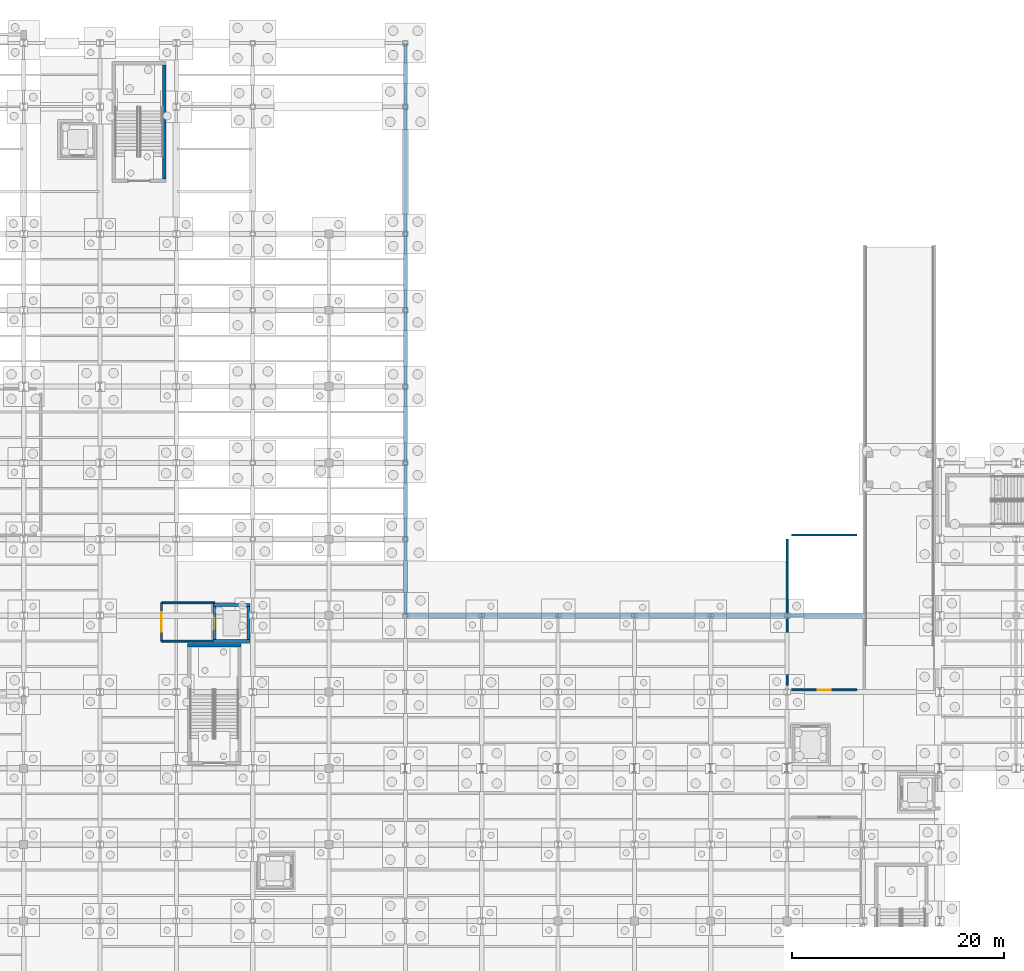
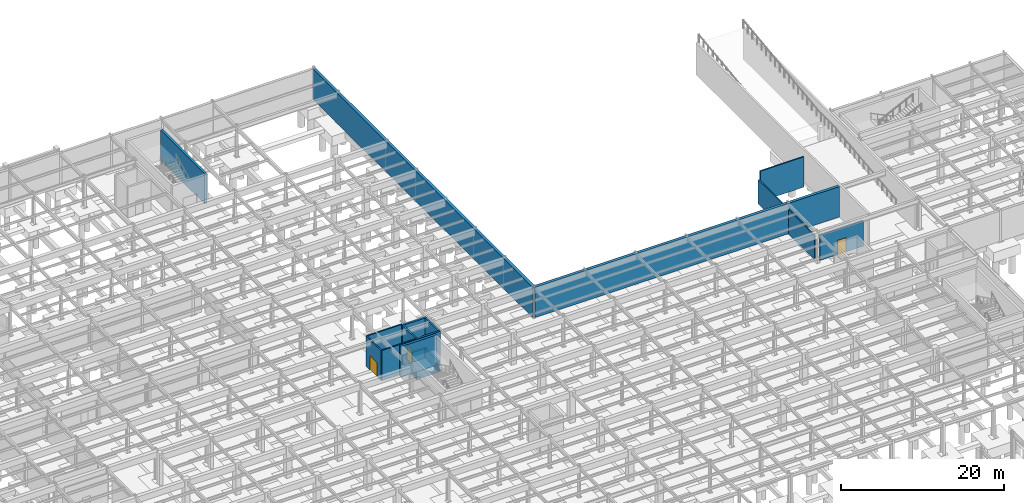
# One storey, part 49 of 64: 18 walls, 3 doors, 3 openings.
"""IFC4 building model written with IfcOpenShell, lengths in metres."""

from ifc_helpers import new_model, si_unit, direction, frame, frame_2d, origin, place, context, subcontext, project, spatial, rectangle, extrude, material, layer, layer_set, type_object, element, fill, save


model = new_model("IFC4")

# Units and contexts
model_context = context("Model", 3, precision=1e-05, world=origin(), true_north=direction((0.0, 1.0)))
body_context = subcontext(model_context, "Body", "Model", "MODEL_VIEW")
ifc_project = project(units=[si_unit("LENGTHUNIT", "METRE"), si_unit("AREAUNIT", "SQUARE_METRE"), si_unit("VOLUMEUNIT", "CUBIC_METRE"), si_unit("PLANEANGLEUNIT", "RADIAN"), si_unit("MASSUNIT", "GRAM", prefix="KILO")], contexts=[model_context])

# Site, building, storey
site_placement = place(None, origin())
site = spatial("IfcSite", under=ifc_project, at=site_placement, CompositionType="ELEMENT")
building_placement = place(site_placement, origin())
building = spatial("IfcBuilding", under=site, at=building_placement, Name="Solvadek Multi-Sports Hall", CompositionType="ELEMENT")
storey_placement = place(building_placement, frame((0.0, 0.0, -4.800048828125)))
storey = spatial("IfcBuildingStorey", under=building, at=storey_placement, Name="B1", CompositionType="ELEMENT", Elevation=-4.800048828125)

# Walls
ifc_material_1 = material(Name="Concrete M40", Category="concrete")
ifc_layer_1 = layer(ifc_material_1, 0.39990234375, Name="Concrete M40")
ifc_layer_set_1 = layer_set([ifc_layer_1], Name="Concrete M40")
wall_type_1 = type_object("IfcWallType", Name="ENV-WAL-RET400", PredefinedType="USERDEFINED", material=ifc_layer_set_1)
wall_1_placement = place(storey_placement, frame((129.60009765625, 56.39990234375, 0.0), z_axis=(0.0, 0.0, 1.0), x_axis=(-1.0, 0.0, 0.0)))
element("IfcWall", 1, at=wall_1_placement, inside=storey, type_object=wall_type_1, Name="B1 Basement Retaining Wall #66", ObjectType="RETAININGWALL", PredefinedType="USERDEFINED", context=body_context, shape_type="SweptSolid", body=[
    extrude(rectangle(XDim=43.2001953125, YDim=0.39990234375, at=frame_2d((21.60009765625, 0.0))), origin(), (0.0, 0.0, 1.0), 4.550048828125),
])
wall_2_placement = place(storey_placement, frame((86.39990234375, 56.39990234375, 0.0), z_axis=(0.0, 0.0, 1.0), x_axis=(0.0, 1.0, 0.0)))
element("IfcWall", 2, at=wall_2_placement, inside=storey, type_object=wall_type_1, Name="B1 Basement Retaining Wall #67", ObjectType="RETAININGWALL", PredefinedType="USERDEFINED", context=body_context, shape_type="SweptSolid", body=[
    extrude(rectangle(XDim=54.0, YDim=0.39990234375, at=frame_2d((27.0, 0.0))), origin(), (0.0, 0.0, 1.0), 4.550048828125),
])

# Wall, opening, door
ifc_material_2 = material(Name="Autoclaved aerated concrete blockwork", Category="masonry")
ifc_layer_2 = layer(ifc_material_2, 0.179931640625, Name="Autoclaved aerated concrete blockwork")
ifc_layer_set_2 = layer_set([ifc_layer_2], Name="Autoclaved aerated concrete blockwork")
wall_type_2 = type_object("IfcWallType", Name="INT-WAL-PRT180", PredefinedType="PARTITIONING", material=ifc_layer_set_2)
wall_3_placement = place(storey_placement, frame((63.39990234375, 54.0, 0.0), z_axis=(0.0, 0.0, 1.0), x_axis=(0.0, 1.0, 0.0)))
wall_3 = element("IfcWall", 3, at=wall_3_placement, inside=storey, type_object=wall_type_2, Name="B1 Firefighting Lobby LF-02 Rated Wall W", PredefinedType="PARTITIONING", context=body_context, shape_type="SweptSolid", body=[
    extrude(rectangle(XDim=3.60009765625, YDim=0.179931640625, at=frame_2d((1.800048828125, 0.0))), origin(), (0.0, 0.0, 1.0), 4.53515625),
])
opening_1_placement = place(wall_3_placement, frame((0.89990234375, 0.0, 0.0)))
opening_1 = element("IfcOpeningElement", 4, at=opening_1_placement, cuts=wall_3, Name="Opening FD120B", PredefinedType="OPENING", context=body_context, shape_type="SweptSolid", body=[
    extrude(rectangle(XDim=1.800048828125, YDim=2.14990234375, at=frame_2d((0.89990234375, 1.074951171875))), frame((0.0, 0.099853515625, 0.0), z_axis=(0.0, -1.0, 0.0), x_axis=(1.0, 0.0, 0.0)), (0.0, 0.0, 1.0), 0.199951171875),
])
ifc_material_3 = material(Name="Steel E250 (250 MPa)", Category="steel")
door_type_1 = type_object("IfcDoorType", Name="INT-DOR-FD180X215", OperationType="DOUBLE_DOOR_SINGLE_SWING", PredefinedType="DOOR", material=ifc_material_3)
door_1_placement = place(opening_1_placement, origin())
door_1 = element("IfcDoor", 5, at=door_1_placement, inside=storey, type_object=door_type_1, Name="B1 Firefighting Lobby LF-02 Fire Door", OperationType="DOUBLE_DOOR_SINGLE_SWING", OverallHeight=2.14990234375, OverallWidth=1.800048828125, PredefinedType="DOOR", context=body_context, shape_type="SweptSolid", body=[
    extrude(rectangle(XDim=1.800048828125, YDim=2.14990234375, at=frame_2d((0.89990234375, 1.074951171875))), frame((0.0, 0.02490234375, 0.0), z_axis=(0.0, -1.0, 0.0), x_axis=(1.0, 0.0, 0.0)), (0.0, 0.0, 1.0), 0.050048828125),
])
fill(opening_1, door_1)

# Walls
for number, where, z_axis, x_axis, name in (
    (6, (63.39990234375, 54.0, 0.0), (0.0, 0.0, 1.0), (1.0, 0.0, 0.0), "B1 Firefighting Lobby LF-02 Rated Wall S"),
    (7, (63.39990234375, 57.60009765625, 0.0), (0.0, 0.0, 1.0), (1.0, 0.0, 0.0), "B1 Firefighting Lobby LF-02 Rated Wall N"),
):
    element("IfcWall", number, at=place(storey_placement, frame(where, z_axis=z_axis, x_axis=x_axis)), inside=storey, type_object=wall_type_2, Name=name, PredefinedType="PARTITIONING", context=body_context, shape_type="SweptSolid", body=[
        extrude(rectangle(XDim=5.0, YDim=0.179931640625, at=frame_2d((2.5, 0.0))), origin(), (0.0, 0.0, 1.0), 4.53515625),
    ])

# Wall, opening, door
wall_4_placement = place(storey_placement, frame((122.824951171875, 49.39990234375, 0.0), z_axis=(0.0, 0.0, 1.0), x_axis=(1.0, 0.0, 0.0)))
wall_4 = element("IfcWall", 8, at=wall_4_placement, inside=storey, type_object=wall_type_2, Name="B1 Partition Wall B1-06 S", PredefinedType="PARTITIONING", context=body_context, shape_type="SweptSolid", body=[
    extrude(rectangle(XDim=6.155029296875, YDim=0.179931640625, at=frame_2d((3.07763671875, 0.0))), origin(), (0.0, 0.0, 1.0), 3.830078125),
])
opening_2_placement = place(wall_4_placement, frame((2.452392578125, 0.0, 0.0)))
opening_2 = element("IfcOpeningElement", 9, at=opening_2_placement, cuts=wall_4, Name="Opening FD60B", PredefinedType="OPENING", context=body_context, shape_type="SweptSolid", body=[
    extrude(rectangle(XDim=1.25, YDim=2.14990234375, at=frame_2d((0.625, 1.074951171875))), frame((0.0, 0.099853515625, 0.0), z_axis=(0.0, -1.0, 0.0), x_axis=(1.0, 0.0, 0.0)), (0.0, 0.0, 1.0), 0.199951171875),
])
door_type_2 = type_object("IfcDoorType", Name="INT-DOR-FD125X215", OperationType="NOTDEFINED", PredefinedType="DOOR", material=ifc_material_3)
door_2_placement = place(opening_2_placement, origin())
door_2 = element("IfcDoor", 10, at=door_2_placement, inside=storey, type_object=door_type_2, Name="B1 B1-06 Door #21", OperationType="SINGLE_SWING_RIGHT", OverallHeight=2.14990234375, OverallWidth=1.25, PredefinedType="DOOR", context=body_context, shape_type="SweptSolid", body=[
    extrude(rectangle(XDim=1.25, YDim=2.14990234375, at=frame_2d((0.625, 1.074951171875))), frame((0.0, 0.02490234375, 0.0), z_axis=(0.0, -1.0, 0.0), x_axis=(1.0, 0.0, 0.0)), (0.0, 0.0, 1.0), 0.050048828125),
])
fill(opening_2, door_2)

# Walls
wall_5_placement = place(storey_placement, frame((122.824951171875, 64.0, 0.0), z_axis=(0.0, 0.0, 1.0), x_axis=(1.0, 0.0, 0.0)))
element("IfcWall", 11, at=wall_5_placement, inside=storey, type_object=wall_type_2, Name="B1 Partition Wall B1-06 N", PredefinedType="PARTITIONING", context=body_context, shape_type="SweptSolid", body=[
    extrude(rectangle(XDim=6.155029296875, YDim=0.179931640625, at=frame_2d((3.07763671875, 0.0))), origin(), (0.0, 0.0, 1.0), 4.53515625),
])
wall_6_placement = place(storey_placement, frame((122.405029296875, 49.820068359375, 0.0), z_axis=(0.0, 0.0, 1.0), x_axis=(0.0, 1.0, 0.0)))
element("IfcWall", 12, at=wall_6_placement, inside=storey, type_object=wall_type_2, Name="B1 Partition Wall B1-06 W", PredefinedType="PARTITIONING", context=body_context, shape_type="SweptSolid", body=[
    extrude(rectangle(XDim=13.760009765625, YDim=0.179931640625, at=frame_2d((6.8798828125, 0.0))), origin(), (0.0, 0.0, 1.0), 3.630126953125),
])
ifc_layer_3 = layer(ifc_material_1, 0.260009765625, Name="Concrete M40")
ifc_layer_set_3 = layer_set([ifc_layer_3], Name="Concrete M40")
wall_type_3 = type_object("IfcWallType", Name="INT-WAL-SHR260", PredefinedType="SHEAR", material=ifc_layer_set_3)
for number, where, z_axis, x_axis, name in (
    (13, (68.27001953125, 54.0, -1.5), (0.0, 0.0, 1.0), (1.0, 0.0, 0.0), "Lift LF-02 Shaft Shear Wall pit south"),
    (14, (68.27001953125, 57.39990234375, -1.5), (0.0, 0.0, 1.0), (1.0, 0.0, 0.0), "Lift LF-02 Shaft Shear Wall pit north"),
):
    element("IfcWall", number, at=place(storey_placement, frame(where, z_axis=z_axis, x_axis=x_axis)), inside=storey, type_object=wall_type_3, Name=name, PredefinedType="SHEAR", context=body_context, shape_type="SweptSolid", body=[
        extrude(rectangle(XDim=3.4599609375, YDim=0.260009765625, at=frame_2d((1.72998046875, 0.0))), origin(), (0.0, 0.0, 1.0), 1.5),
    ])
for number, where, z_axis, x_axis, name in (
    (15, (68.39990234375, 54.1298828125, -1.5), (0.0, 0.0, 1.0), (0.0, 1.0, 0.0), "Lift LF-02 Shaft Shear Wall pit west"),
    (16, (71.60009765625, 54.1298828125, -1.5), (0.0, 0.0, 1.0), (0.0, 1.0, 0.0), "Lift LF-02 Shaft Shear Wall pit east"),
):
    element("IfcWall", number, at=place(storey_placement, frame(where, z_axis=z_axis, x_axis=x_axis)), inside=storey, type_object=wall_type_3, Name=name, PredefinedType="SHEAR", context=body_context, shape_type="SweptSolid", body=[
        extrude(rectangle(XDim=3.14013671875, YDim=0.260009765625, at=frame_2d((1.570068359375, 0.0))), origin(), (0.0, 0.0, 1.0), 1.5),
    ])
for number, where, z_axis, x_axis, name in (
    (17, (68.27001953125, 54.0, 0.0), (0.0, 0.0, 1.0), (1.0, 0.0, 0.0), "Lift LF-02 Shaft Shear Wall B1 south"),
    (18, (68.27001953125, 57.39990234375, 0.0), (0.0, 0.0, 1.0), (1.0, 0.0, 0.0), "Lift LF-02 Shaft Shear Wall B1 north"),
):
    element("IfcWall", number, at=place(storey_placement, frame(where, z_axis=z_axis, x_axis=x_axis)), inside=storey, type_object=wall_type_3, Name=name, PredefinedType="SHEAR", context=body_context, shape_type="SweptSolid", body=[
        extrude(rectangle(XDim=3.4599609375, YDim=0.260009765625, at=frame_2d((1.72998046875, 0.0))), origin(), (0.0, 0.0, 1.0), 4.550048828125),
    ])

# Wall, opening, door
wall_7_placement = place(storey_placement, frame((68.39990234375, 54.1298828125, 0.0), z_axis=(0.0, 0.0, 1.0), x_axis=(0.0, 1.0, 0.0)))
wall_7 = element("IfcWall", 19, at=wall_7_placement, inside=storey, type_object=wall_type_3, Name="Lift LF-02 Shaft Shear Wall B1 west", PredefinedType="SHEAR", context=body_context, shape_type="SweptSolid", body=[
    extrude(rectangle(XDim=3.14013671875, YDim=0.260009765625, at=frame_2d((1.570068359375, 0.0))), origin(), (0.0, 0.0, 1.0), 4.550048828125),
])
opening_3_placement = place(wall_7_placement, frame((0.919921875, 0.0, 0.0)))
opening_3 = element("IfcOpeningElement", 20, at=opening_3_placement, cuts=wall_7, Name="Opening LD-06", PredefinedType="OPENING", context=body_context, shape_type="SweptSolid", body=[
    extrude(rectangle(XDim=1.300048828125, YDim=2.199951171875, at=frame_2d((0.64990234375, 1.10009765625))), frame((0.0, 0.139892578125, 0.0), z_axis=(0.0, -1.0, 0.0), x_axis=(1.0, 0.0, 0.0)), (0.0, 0.0, 1.0), 0.280029296875),
])
ifc_material_4 = material(Name="Anodised aluminium", Category="aluminium")
door_type_3 = type_object("IfcDoorType", Name="INT-DOR-LD130X220", OperationType="DOUBLE_DOOR_SLIDING", PredefinedType="DOOR", material=ifc_material_4)
door_3_placement = place(opening_3_placement, origin())
door_3 = element("IfcDoor", 21, at=door_3_placement, inside=storey, type_object=door_type_3, Name="B1 Lift LF-02 Sliding Landing Door LD-06", OperationType="DOUBLE_DOOR_SLIDING", OverallHeight=2.199951171875, OverallWidth=1.300048828125, PredefinedType="DOOR", context=body_context, shape_type="SweptSolid", body=[
    extrude(rectangle(XDim=1.300048828125, YDim=2.199951171875, at=frame_2d((0.64990234375, 1.10009765625))), frame((0.0, 0.02490234375, 0.0), z_axis=(0.0, -1.0, 0.0), x_axis=(1.0, 0.0, 0.0)), (0.0, 0.0, 1.0), 0.050048828125),
])
fill(opening_3, door_3)

# Walls
wall_8_placement = place(storey_placement, frame((71.60009765625, 54.1298828125, 0.0), z_axis=(0.0, 0.0, 1.0), x_axis=(0.0, 1.0, 0.0)))
element("IfcWall", 22, at=wall_8_placement, inside=storey, type_object=wall_type_3, Name="Lift LF-02 Shaft Shear Wall B1 east", PredefinedType="SHEAR", context=body_context, shape_type="SweptSolid", body=[
    extrude(rectangle(XDim=3.14013671875, YDim=0.260009765625, at=frame_2d((1.570068359375, 0.0))), origin(), (0.0, 0.0, 1.0), 4.550048828125),
])
ifc_layer_4 = layer(ifc_material_1, 0.320068359375, Name="Concrete M40")
ifc_layer_set_4 = layer_set([ifc_layer_4], Name="Concrete M40")
wall_type_4 = type_object("IfcWallType", Name="INT-WAL-SHR320", PredefinedType="SHEAR", material=ifc_layer_set_4)
wall_9_placement = place(storey_placement, frame((63.64990234375, 97.56005859375, 0.0), z_axis=(0.0, 0.0, 1.0), x_axis=(0.0, 1.0, 0.0)))
element("IfcWall", 23, at=wall_9_placement, inside=storey, type_object=wall_type_4, Name="B1 Stair ST-03 Shear Wall E", PredefinedType="SHEAR", context=body_context, shape_type="SweptSolid", body=[
    extrude(rectangle(XDim=10.780029296875, YDim=0.320068359375, at=frame_2d((5.39013671875, 0.0))), origin(), (0.0, 0.0, 1.0), 4.550048828125),
])
wall_10_placement = place(storey_placement, frame((65.840087890625, 53.60009765625, 0.0), z_axis=(0.0, 0.0, 1.0), x_axis=(1.0, 0.0, 0.0)))
element("IfcWall", 24, at=wall_10_placement, inside=storey, type_object=wall_type_4, Name="B1 Stair ST-04 Shear Wall N", PredefinedType="SHEAR", context=body_context, shape_type="SweptSolid", body=[
    extrude(rectangle(XDim=5.06982421875, YDim=0.320068359375, at=frame_2d((2.534912109375, 0.0))), origin(), (0.0, 0.0, 1.0), 4.550048828125),
])

save(model, "model.ifc")
